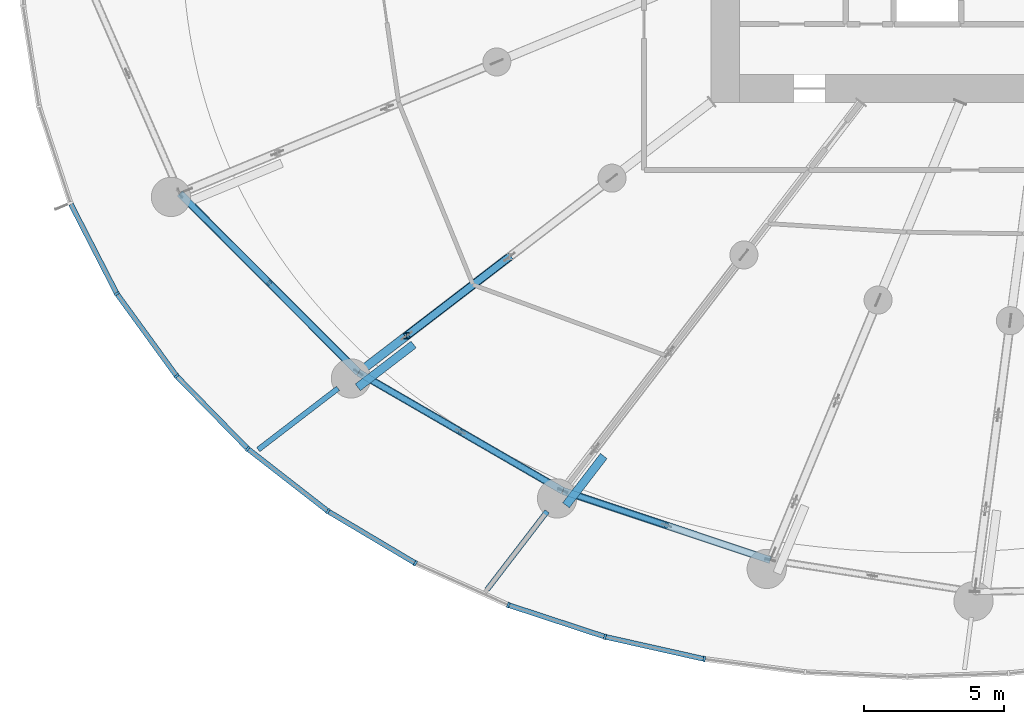
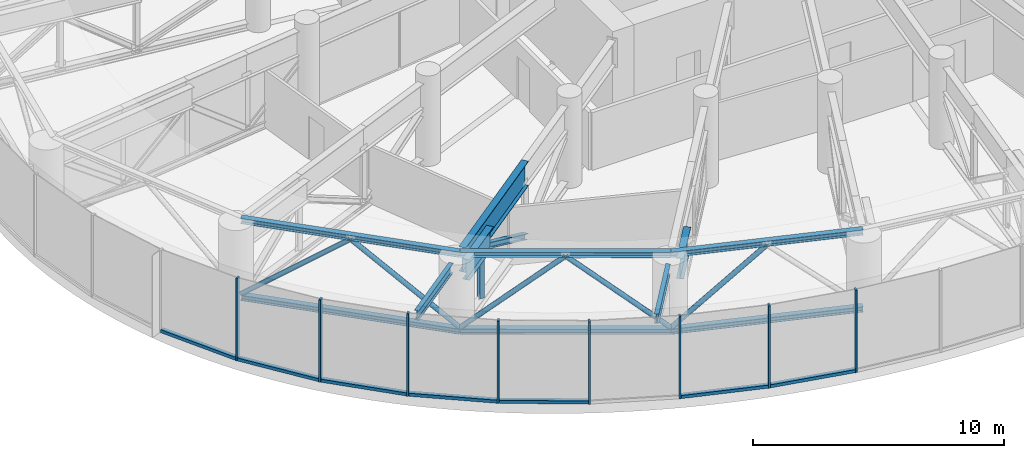
# One storey, part 2 of 42: 28 members, 5 beams, 2 elements without a shape of their own.
"""IFC4 building model written with IfcOpenShell, lengths in metres."""

from ifc_helpers import new_model, si_unit, direction, frame, origin, origin_2d, place, context, subcontext, project, spatial, rectangle, hollow_circle, i_section, extrude, source, transform, mapped, material, layer, layer_set, material_profile, profile_set, type_object, element, aggregate, save


model = new_model("IFC4")

# Units and contexts
model_context = context("Model", 3, precision=1e-05, world=origin(), true_north=direction((0.0, 1.0)))
body_context = subcontext(model_context, "Body", "Model", "MODEL_VIEW")
ifc_project = project(units=[si_unit("LENGTHUNIT", "METRE"), si_unit("AREAUNIT", "SQUARE_METRE"), si_unit("VOLUMEUNIT", "CUBIC_METRE"), si_unit("PLANEANGLEUNIT", "RADIAN"), si_unit("MASSUNIT", "GRAM", prefix="KILO")], contexts=[model_context])

# Site, building, storey
site_placement = place(None, origin())
site = spatial("IfcSite", under=ifc_project, at=site_placement, CompositionType="ELEMENT")
building_placement = place(site_placement, origin())
building = spatial("IfcBuilding", under=site, at=building_placement, Name="Spindrift Exchange Tower", CompositionType="ELEMENT")
storey_placement = place(building_placement, frame((0.0, 0.0, 75.39990234375)))
storey = spatial("IfcBuildingStorey", under=building, at=storey_placement, Name="L17", CompositionType="ELEMENT", Elevation=75.39990234375)

# Beams
ifc_material_1 = material(Name="Steel Grade 300", Category="steel")
ifc_material_profile_1 = material_profile(ifc_material_1, i_section(OverallWidth=0.18994140625, OverallDepth=0.45703125, WebThickness=0.009033203125, FlangeThickness=0.014404296875, FilletRadius=0.013916015625, at=origin_2d()), Name="460UB74.6")
ifc_profile_set_1 = profile_set([ifc_material_profile_1], Name="Steel Grade 300")
beam_type_1 = type_object("IfcBeamType", Name="Cantilever Beam 460UB74.6 Steel Grade 300", PredefinedType="BEAM", material=ifc_profile_set_1)
shared_shape_1 = source(origin(), body_context, "Body", "SweptSolid", [
    extrude(i_section(OverallWidth=0.18994140625, OverallDepth=0.45703125, WebThickness=0.009033203125, FlangeThickness=0.014404296875, FilletRadius=0.013916015625, at=origin_2d()), origin(), (0.0, 0.0, 1.0), 3.58544921875),
])
beam_1_placement = place(storey_placement, frame((25.704345703125, 27.822509765625, 3.771484375), z_axis=(-0.793382740537, -0.608723111947, 0.0), x_axis=(0.608723111947, -0.793382740537, 0.0)))
element("IfcBeam", 1, at=beam_1_placement, inside=storey, type_object=beam_type_1, Name="L17 cantilever beam R15T", PredefinedType="BEAM", context=body_context, shape_type="MappedRepresentation", body=[
    mapped(shared_shape_1, transform((0.0, 0.0, 0.0), scale=1.0)),
])
shared_shape_2 = source(origin(), body_context, "Body", "SweptSolid", [
    extrude(i_section(OverallWidth=0.18994140625, OverallDepth=0.45703125, WebThickness=0.009033203125, FlangeThickness=0.014404296875, FilletRadius=0.013916015625, at=origin_2d()), origin(), (0.0, 0.0, 1.0), 3.521728515625),
])
beam_2_placement = place(storey_placement, frame((33.154541015625, 23.440185546875, 3.771484375), z_axis=(-0.608748772801, -0.793363051581, 0.0), x_axis=(0.793363051581, -0.608748772801, 0.0)))
element("IfcBeam", 2, at=beam_2_placement, inside=storey, type_object=beam_type_1, Name="L17 cantilever beam R16T", PredefinedType="BEAM", context=body_context, shape_type="MappedRepresentation", body=[
    mapped(shared_shape_2, transform((0.0, 0.0, 0.0), scale=1.0)),
])

# Member
ifc_material_profile_2 = material_profile(ifc_material_1, i_section(OverallWidth=0.205078125, OverallDepth=0.2099609375, WebThickness=0.00927734375, FlangeThickness=0.01416015625, FilletRadius=0.012939453125, at=origin_2d()), Name="200UC59.5")
ifc_profile_set_2 = profile_set([ifc_material_profile_2], Name="Steel Grade 300")
member_type_1 = type_object("IfcMemberType", Name="Outrigger Truss Post 200UC59.5 Steel Grade 300", PredefinedType="POST", material=ifc_profile_set_2)
shared_shape_3 = source(origin(), body_context, "Body", "SweptSolid", [
    extrude(i_section(OverallWidth=0.205078125, OverallDepth=0.2099609375, WebThickness=0.00927734375, FlangeThickness=0.01416015625, FilletRadius=0.012939453125, at=origin_2d()), origin(), (0.0, 0.0, 1.0), 2.472900390625),
])
member_1_placement = place(storey_placement, frame((28.15185546875, 29.70068359375, 0.3271484375), z_axis=(0.0, 0.0, 1.0), x_axis=(1.0, 0.0, 0.0)))
element("IfcMember", 3, at=member_1_placement, inside=storey, type_object=member_type_1, Name="L17 outrigger truss 15 post 3", PredefinedType="POST", context=body_context, shape_type="MappedRepresentation", body=[
    mapped(shared_shape_3, transform((0.0, 0.0, 0.0), scale=1.0)),
])

# Beam
ifc_material_profile_3 = material_profile(ifc_material_1, i_section(OverallWidth=0.300048828125, OverallDepth=1.199951171875, WebThickness=0.011962890625, FlangeThickness=0.028076171875, at=origin_2d()), Name="1200WB249")
ifc_profile_set_3 = profile_set([ifc_material_profile_3], Name="Steel Grade 300")
beam_type_2 = type_object("IfcBeamType", Name="Outrigger Truss Transfer Girder 1200WB249 Steel Grade 300", PredefinedType="BEAM", material=ifc_profile_set_3)
shared_shape_4 = source(origin(), body_context, "Body", "SweptSolid", [
    extrude(i_section(OverallWidth=0.300048828125, OverallDepth=1.199951171875, WebThickness=0.011962890625, FlangeThickness=0.028076171875, at=origin_2d()), origin(), (0.0, 0.0, 1.0), 6.534423828125),
])
beam_3_placement = place(storey_placement, frame((31.80859375, 32.506591796875, 3.400146484375), z_axis=(-0.793360941844, -0.608751522344, 0.0), x_axis=(0.608751522344, -0.793360941844, 0.0)))
element("IfcBeam", 4, at=beam_3_placement, inside=storey, type_object=beam_type_2, Name="L17 outrigger truss 15 top chord 3", PredefinedType="BEAM", context=body_context, shape_type="MappedRepresentation", body=[
    mapped(shared_shape_4, transform((0.0, 0.0, 0.0), scale=1.0)),
])

# Members
ifc_material_profile_4 = material_profile(ifc_material_1, i_section(OverallWidth=0.256103515625, OverallDepth=0.260009765625, WebThickness=0.010498046875, FlangeThickness=0.017333984375, FilletRadius=0.011962890625, at=origin_2d()), Name="250UC89.5")
ifc_profile_set_4 = profile_set([ifc_material_profile_4], Name="Steel Grade 300")
member_type_2 = type_object("IfcMemberType", Name="Outrigger Truss Diagonal 250UC89.5 Steel Grade 300", PredefinedType="BRACE", material=ifc_profile_set_4)
shared_shape_5 = source(origin(), body_context, "Body", "SweptSolid", [
    extrude(i_section(OverallWidth=0.256103515625, OverallDepth=0.260009765625, WebThickness=0.010498046875, FlangeThickness=0.017333984375, FilletRadius=0.011962890625, at=origin_2d()), origin(), (0.0, 0.0, 1.0), 5.230712890625),
])
member_2_placement = place(storey_placement, frame((31.80859375, 32.506591796875, 0.3271484375), z_axis=(-0.699093237702, -0.536432005669, 0.472767753017), x_axis=(0.608760641354, -0.793353944679, 0.0)))
element("IfcMember", 5, at=member_2_placement, inside=storey, type_object=member_type_2, Name="L17 outrigger truss 15 diagonal 3", PredefinedType="BRACE", context=body_context, shape_type="MappedRepresentation", body=[
    mapped(shared_shape_5, transform((0.0, 0.0, 0.0), scale=1.0)),
])
ifc_material_profile_5 = material_profile(ifc_material_1, i_section(OverallWidth=0.256103515625, OverallDepth=0.260009765625, WebThickness=0.010498046875, FlangeThickness=0.017333984375, FilletRadius=0.011962890625, at=origin_2d()), Name="250UC89.5")
ifc_profile_set_5 = profile_set([ifc_material_profile_5], Name="Steel Grade 300")
member_type_3 = type_object("IfcMemberType", Name="Belt Truss Chord 250UC89.5 Steel Grade 300", PredefinedType="CHORD", material=ifc_profile_set_5)
shared_shape_6 = source(origin(), body_context, "Body", "SweptSolid", [
    extrude(i_section(OverallWidth=0.256103515625, OverallDepth=0.260009765625, WebThickness=0.010498046875, FlangeThickness=0.017333984375, FilletRadius=0.011962890625, at=origin_2d()), origin(), (0.0, 0.0, 1.0), 9.021484375),
])
for number, where, z_axis, x_axis, name in (
    (6, (20.065185546875, 34.772216796875, 3.8701171875), (0.705969259077, -0.708242476302, 0.0), (0.708242476302, 0.705969259077, 0.0), "L17 belt truss 14 top chord"),
    (7, (20.065185546875, 34.772216796875, 0.130126953125), (0.705969259077, -0.708242476302, 0.0), (0.708242476302, 0.705969259077, 0.0), "L17 belt truss 14 bottom chord"),
):
    element("IfcMember", number, at=place(storey_placement, frame(where, z_axis=z_axis, x_axis=x_axis)), inside=storey, type_object=member_type_3, Name=name, PredefinedType="CHORD", context=body_context, shape_type="MappedRepresentation", body=[
        mapped(shared_shape_6, transform((0.0, 0.0, 0.0), scale=1.0)),
    ])
ifc_material_2 = material(Name="Steel Grade 350", Category="steel")
ifc_material_profile_6 = material_profile(ifc_material_2, hollow_circle(Radius=0.109619140625, WallThickness=0.00830078125, at=origin_2d()), Name="219.1x8.2CHS")
ifc_profile_set_6 = profile_set([ifc_material_profile_6], Name="Steel Grade 350")
member_type_4 = type_object("IfcMemberType", Name="Belt Truss Diagonal 219.1x8.2CHS Steel Grade 350", PredefinedType="BRACE", material=ifc_profile_set_6)
shared_shape_7 = source(origin(), body_context, "Body", "SweptSolid", [
    extrude(hollow_circle(Radius=0.109619140625, WallThickness=0.00830078125, at=origin_2d()), origin(), (0.0, 0.0, 1.0), 5.697265625),
])
member_3_placement = place(storey_placement, frame((20.065185546875, 34.772216796875, 0.260009765625), z_axis=(0.558966254044, -0.56076605339, 0.610817616156), x_axis=(0.708242432874, 0.705969302645, 0.0)))
element("IfcMember", 8, at=member_3_placement, inside=storey, type_object=member_type_4, Name="L17 belt truss 14 diagonal 1", PredefinedType="BRACE", context=body_context, shape_type="MappedRepresentation", body=[
    mapped(shared_shape_7, transform((0.0, 0.0, 0.0), scale=1.0)),
])
shared_shape_8 = source(origin(), body_context, "Body", "SweptSolid", [
    extrude(hollow_circle(Radius=0.109619140625, WallThickness=0.00830078125, at=origin_2d()), origin(), (0.0, 0.0, 1.0), 5.697021484375),
])
member_4_placement = place(storey_placement, frame((23.249755859375, 31.577392578125, 3.739990234375), z_axis=(0.558950221503, -0.560750107212, -0.610846926114), x_axis=(0.708242519734, 0.705969215505, 0.0)))
element("IfcMember", 9, at=member_4_placement, inside=storey, type_object=member_type_4, Name="L17 belt truss 14 diagonal 2", PredefinedType="BRACE", context=body_context, shape_type="MappedRepresentation", body=[
    mapped(shared_shape_8, transform((0.0, 0.0, 0.0), scale=1.0)),
])
shared_shape_9 = source(origin(), body_context, "Body", "SweptSolid", [
    extrude(i_section(OverallWidth=0.256103515625, OverallDepth=0.260009765625, WebThickness=0.010498046875, FlangeThickness=0.017333984375, FilletRadius=0.011962890625, at=origin_2d()), origin(), (0.0, 0.0, 1.0), 8.41162109375),
])
for number, where, z_axis, x_axis, name in (
    (10, (26.43408203125, 28.3828125, 3.8701171875), (0.865536882311, -0.500845191012, 0.0), (0.500845191012, 0.865536882311, 0.0), "L17 belt truss 15 top chord"),
    (11, (26.43408203125, 28.3828125, 0.130126953125), (0.865536882311, -0.500845191012, 0.0), (0.500845191012, 0.865536882311, 0.0), "L17 belt truss 15 bottom chord"),
):
    element("IfcMember", number, at=place(storey_placement, frame(where, z_axis=z_axis, x_axis=x_axis)), inside=storey, type_object=member_type_3, Name=name, PredefinedType="CHORD", context=body_context, shape_type="MappedRepresentation", body=[
        mapped(shared_shape_9, transform((0.0, 0.0, 0.0), scale=1.0)),
    ])
shared_shape_10 = source(origin(), body_context, "Body", "SweptSolid", [
    extrude(hollow_circle(Radius=0.109619140625, WallThickness=0.00830078125, at=origin_2d()), origin(), (0.0, 0.0, 1.0), 5.458984375),
])
member_5_placement = place(storey_placement, frame((26.43408203125, 28.3828125, 0.260009765625), z_axis=(0.666868987608, -0.385872552148, 0.637485785619), x_axis=(0.500832609194, 0.865544162691, 0.0)))
element("IfcMember", 12, at=member_5_placement, inside=storey, type_object=member_type_4, Name="L17 belt truss 15 diagonal 1", PredefinedType="BRACE", context=body_context, shape_type="MappedRepresentation", body=[
    mapped(shared_shape_10, transform((0.0, 0.0, 0.0), scale=1.0)),
])
shared_shape_11 = source(origin(), body_context, "Body", "SweptSolid", [
    extrude(hollow_circle(Radius=0.109619140625, WallThickness=0.00830078125, at=origin_2d()), origin(), (0.0, 0.0, 1.0), 5.458740234375),
])
member_6_placement = place(storey_placement, frame((30.074462890625, 26.2763671875, 3.739990234375), z_axis=(0.66684415229, -0.385884060762, -0.637504798575), x_axis=(0.500857773355, 0.865529601383, 0.0)))
element("IfcMember", 13, at=member_6_placement, inside=storey, type_object=member_type_4, Name="L17 belt truss 15 diagonal 2", PredefinedType="BRACE", context=body_context, shape_type="MappedRepresentation", body=[
    mapped(shared_shape_11, transform((0.0, 0.0, 0.0), scale=1.0)),
])
shared_shape_12 = source(origin(), body_context, "Body", "SweptSolid", [
    extrude(i_section(OverallWidth=0.256103515625, OverallDepth=0.260009765625, WebThickness=0.010498046875, FlangeThickness=0.017333984375, FilletRadius=0.011962890625, at=origin_2d()), origin(), (0.0, 0.0, 1.0), 7.793701171875),
])
for number, where, z_axis, x_axis, name in (
    (14, (33.714599609375, 24.169921875, 3.8701171875), (0.948567329995, -0.316575457776, 0.0), (0.316575457776, 0.948567329995, 0.0), "L17 belt truss 16 top chord"),
    (15, (33.714599609375, 24.169921875, 0.130126953125), (0.948567329995, -0.316575457776, 0.0), (0.316575457776, 0.948567329995, 0.0), "L17 belt truss 16 bottom chord"),
):
    element("IfcMember", number, at=place(storey_placement, frame(where, z_axis=z_axis, x_axis=x_axis)), inside=storey, type_object=member_type_3, Name=name, PredefinedType="CHORD", context=body_context, shape_type="MappedRepresentation", body=[
        mapped(shared_shape_12, transform((0.0, 0.0, 0.0), scale=1.0)),
    ])
shared_shape_13 = source(origin(), body_context, "Body", "SweptSolid", [
    extrude(hollow_circle(Radius=0.109619140625, WallThickness=0.00830078125, at=origin_2d()), origin(), (0.0, 0.0, 1.0), 5.224365234375),
])
member_7_placement = place(storey_placement, frame((33.714599609375, 24.169921875, 0.260009765625), z_axis=(0.707500639745, -0.236129506779, 0.666097365847), x_axis=(0.316584864872, 0.948564190413, 0.0)))
element("IfcMember", 16, at=member_7_placement, inside=storey, type_object=member_type_4, Name="L17 belt truss 16 diagonal 1", PredefinedType="BRACE", context=body_context, shape_type="MappedRepresentation", body=[
    mapped(shared_shape_13, transform((0.0, 0.0, 0.0), scale=1.0)),
])

# Beams
ifc_material_profile_7 = material_profile(ifc_material_1, i_section(OverallWidth=0.300048828125, OverallDepth=1.0, WebThickness=0.010009765625, FlangeThickness=0.02001953125, at=origin_2d()), Name="1000WB215")
ifc_profile_set_7 = profile_set([ifc_material_profile_7], Name="Steel Grade 300")
beam_type_3 = type_object("IfcBeamType", Name="Transfer Tie Beam 1000WB215 Steel Grade 300", PredefinedType="BEAM", material=ifc_profile_set_7)
shared_shape_14 = source(origin(), body_context, "Body", "SweptSolid", [
    extrude(i_section(OverallWidth=0.300048828125, OverallDepth=1.0, WebThickness=0.010009765625, FlangeThickness=0.02001953125, at=origin_2d()), origin(), (0.0, 0.0, 1.0), 2.5048828125),
])
beam_4_placement = place(storey_placement, frame((26.407958984375, 27.8583984375, 3.400146484375), z_axis=(0.793355302324, 0.608758872029, 0.0), x_axis=(-0.608758872029, 0.793355302324, 0.0)))
element("IfcBeam", 17, at=beam_4_placement, inside=storey, type_object=beam_type_3, Name="L17 transfer tie beam K15", PredefinedType="BEAM", context=body_context, shape_type="MappedRepresentation", body=[
    mapped(shared_shape_14, transform((0.0, 0.0, 0.0), scale=1.0)),
])
shared_shape_15 = source(origin(), body_context, "Body", "SweptSolid", [
    extrude(i_section(OverallWidth=0.300048828125, OverallDepth=1.0, WebThickness=0.010009765625, FlangeThickness=0.02001953125, at=origin_2d()), origin(), (0.0, 0.0, 1.0), 2.2119140625),
])
beam_5_placement = place(storey_placement, frame((33.824951171875, 23.65673828125, 3.400146484375), z_axis=(0.608723469706, 0.793382466046, 0.0), x_axis=(-0.793382466046, 0.608723469706, 0.0)))
element("IfcBeam", 18, at=beam_5_placement, inside=storey, type_object=beam_type_3, Name="L17 transfer tie beam K16", PredefinedType="BEAM", context=body_context, shape_type="MappedRepresentation", body=[
    mapped(shared_shape_15, transform((0.0, 0.0, 0.0), scale=1.0)),
])

# Curtain wall, members
ifc_material_3 = material(Name="Fritted laminated glass with bronze frame", Category="glass")
ifc_layer = layer(ifc_material_3, 0.199951171875)
ifc_layer_set = layer_set([ifc_layer], Name="ZONE 1 BRONZE FRITTED WALL")
curtain_wall_type = type_object("IfcCurtainWallType", Name="ZONE 1 BRONZE FRITTED WALL", PredefinedType="NOTDEFINED", material=ifc_layer_set)
curtain_wall_1_placement = place(storey_placement, origin())
curtain_wall_1 = element("IfcCurtainWall", 19, at=curtain_wall_1_placement, inside=storey, type_object=curtain_wall_type, Name="L17 Zone 1 Bronze Fritted Wall run 6", PredefinedType="NOTDEFINED")
ifc_material_4 = material(Name="Bronze anodised aluminium", Category="aluminium")
ifc_material_profile_8 = material_profile(ifc_material_4, rectangle(XDim=0.179931640625, YDim=0.14990234375, at=origin_2d()), Name="ZONE 1 BRONZE FRITTED WALL TRANSOM 180X150")
ifc_profile_set_8 = profile_set([ifc_material_profile_8], Name="Bronze anodised aluminium")
member_type_5 = type_object("IfcMemberType", Name="ZONE 1 BRONZE FRITTED WALL TRANSOM 180X150", PredefinedType="USERDEFINED", material=ifc_profile_set_8)
shared_shape_16 = source(origin(), body_context, "Body", "SweptSolid", [
    extrude(rectangle(XDim=0.179931640625, YDim=0.14990234375, at=origin_2d()), origin(), (0.0, 0.0, 1.0), 3.54443359375),
])
member_8_placement = place(storey_placement, frame((16.1845703125, 34.384765625, 0.0751953125), z_axis=(0.456255117861, -0.889849013836, 0.0), x_axis=(0.889849013836, 0.456255117861, 0.0)))
member_8 = element("IfcMember", 20, at=member_8_placement, type_object=member_type_5, Name="L17 transom CW-1.31", ObjectType="TRANSOM", PredefinedType="USERDEFINED", context=body_context, shape_type="MappedRepresentation", body=[
    mapped(shared_shape_16, transform((0.0, 0.0, 0.0), scale=1.0)),
])
shared_shape_17 = source(origin(), body_context, "Body", "SweptSolid", [
    extrude(rectangle(XDim=0.179931640625, YDim=0.14990234375, at=origin_2d()), origin(), (0.0, 0.0, 1.0), 3.544921875),
])
member_9_placement = place(storey_placement, frame((17.843505859375, 31.162841796875, 0.0751953125), z_axis=(0.58752041695, -0.809209342301, 0.0), x_axis=(0.809209342301, 0.58752041695, 0.0)))
member_9 = element("IfcMember", 21, at=member_9_placement, type_object=member_type_5, Name="L17 transom CW-1.32", ObjectType="TRANSOM", PredefinedType="USERDEFINED", context=body_context, shape_type="MappedRepresentation", body=[
    mapped(shared_shape_17, transform((0.0, 0.0, 0.0), scale=1.0)),
])
shared_shape_18 = source(origin(), body_context, "Body", "SweptSolid", [
    extrude(rectangle(XDim=0.179931640625, YDim=0.14990234375, at=origin_2d()), origin(), (0.0, 0.0, 1.0), 3.545654296875),
])
member_10_placement = place(storey_placement, frame((22.515380859375, 25.644775390625, 0.0751953125), z_axis=(0.789189047463, -0.614150345897, 0.0), x_axis=(0.614150345897, 0.789189047463, 0.0)))
member_10 = element("IfcMember", 22, at=member_10_placement, type_object=member_type_5, Name="L17 transom CW-1.34", ObjectType="TRANSOM", PredefinedType="USERDEFINED", context=body_context, shape_type="MappedRepresentation", body=[
    mapped(shared_shape_18, transform((0.0, 0.0, 0.0), scale=1.0)),
])
shared_shape_19 = source(origin(), body_context, "Body", "SweptSolid", [
    extrude(rectangle(XDim=0.179931640625, YDim=0.14990234375, at=origin_2d()), origin(), (0.0, 0.0, 1.0), 3.546142578125),
])
member_11_placement = place(storey_placement, frame((25.37939453125, 23.42236328125, 0.0751953125), z_axis=(0.859472942996, -0.511181240127, 0.0), x_axis=(0.511181240127, 0.859472942996, 0.0)))
member_11 = element("IfcMember", 23, at=member_11_placement, type_object=member_type_5, Name="L17 transom CW-1.35", ObjectType="TRANSOM", PredefinedType="USERDEFINED", context=body_context, shape_type="MappedRepresentation", body=[
    mapped(shared_shape_19, transform((0.0, 0.0, 0.0), scale=1.0)),
])

# Curtain wall, member
curtain_wall_2_placement = place(storey_placement, origin())
curtain_wall_2 = element("IfcCurtainWall", 24, at=curtain_wall_2_placement, inside=storey, type_object=curtain_wall_type, Name="L17 Zone 1 Bronze Fritted Wall run 7", PredefinedType="NOTDEFINED")
shared_shape_20 = source(origin(), body_context, "Body", "SweptSolid", [
    extrude(rectangle(XDim=0.179931640625, YDim=0.14990234375, at=origin_2d()), origin(), (0.0, 0.0, 1.0), 3.546875),
])
member_12_placement = place(storey_placement, frame((35.25390625, 18.9619140625, 0.0751953125), z_axis=(0.975780458146, -0.218752137132, 0.0), x_axis=(0.218752137132, 0.975780458146, 0.0)))
member_12 = element("IfcMember", 25, at=member_12_placement, type_object=member_type_5, Name="L17 transom CW-1.38", ObjectType="TRANSOM", PredefinedType="USERDEFINED", context=body_context, shape_type="MappedRepresentation", body=[
    mapped(shared_shape_20, transform((0.0, 0.0, 0.0), scale=1.0)),
])

# Member
shared_shape_21 = source(origin(), body_context, "Body", "SweptSolid", [
    extrude(rectangle(XDim=0.179931640625, YDim=0.14990234375, at=origin_2d()), origin(), (0.0, 0.0, 1.0), 3.545166015625),
])
member_13_placement = place(storey_placement, frame((19.977783203125, 28.2333984375, 0.0751953125), z_axis=(0.69896897085, -0.715151996284, 0.0), x_axis=(0.715151996284, 0.69896897085, 0.0)))
member_13 = element("IfcMember", 26, at=member_13_placement, type_object=member_type_5, Name="L17 transom CW-1.33", ObjectType="TRANSOM", PredefinedType="USERDEFINED", context=body_context, shape_type="MappedRepresentation", body=[
    mapped(shared_shape_21, transform((0.0, 0.0, 0.0), scale=1.0)),
])

shared_shape_22 = source(origin(), body_context, "Body", "SweptSolid", [
    extrude(rectangle(XDim=0.179931640625, YDim=0.14990234375, at=origin_2d()), origin(), (0.0, 0.0, 1.0), 3.546630859375),
])
member_14_placement = place(storey_placement, frame((31.807373046875, 20.09033203125, 0.0751953125), z_axis=(0.950023874733, -0.312177253236, 0.0), x_axis=(0.312177253236, 0.950023874733, 0.0)))
member_14 = element("IfcMember", 27, at=member_14_placement, type_object=member_type_5, Name="L17 transom CW-1.37", ObjectType="TRANSOM", PredefinedType="USERDEFINED", context=body_context, shape_type="MappedRepresentation", body=[
    mapped(shared_shape_22, transform((0.0, 0.0, 0.0), scale=1.0)),
])

ifc_material_profile_9 = material_profile(ifc_material_4, rectangle(XDim=0.080078125, YDim=0.199951171875, at=origin_2d()), Name="ZONE 1 BRONZE FRITTED WALL MULLION 80X200")
ifc_profile_set_9 = profile_set([ifc_material_profile_9], Name="Bronze anodised aluminium")
member_type_6 = type_object("IfcMemberType", Name="ZONE 1 BRONZE FRITTED WALL MULLION 80X200", PredefinedType="MULLION", material=ifc_profile_set_9)
shared_shape_23 = source(origin(), body_context, "Body", "SweptSolid", [
    extrude(rectangle(XDim=0.080078125, YDim=0.199951171875, at=origin_2d()), origin(), (0.0, 0.0, 1.0), 4.0),
])
member_15_placement = place(storey_placement, frame((17.820068359375, 31.195068359375, 0.0), z_axis=(0.0, 0.0, 1.0), x_axis=(0.523453249674, -0.852054396976, 0.0)))
member_15 = element("IfcMember", 28, at=member_15_placement, type_object=member_type_6, Name="L17 mullion CW-1.32", PredefinedType="MULLION", context=body_context, shape_type="MappedRepresentation", body=[
    mapped(shared_shape_23, transform((0.0, 0.0, 0.0), scale=1.0)),
])

member_16_placement = place(storey_placement, frame((19.94970703125, 28.261962890625, 0.0), z_axis=(0.0, 0.0, 1.0), x_axis=(0.644965257617, -0.764211892388, 0.0)))
member_16 = element("IfcMember", 29, at=member_16_placement, type_object=member_type_6, Name="L17 mullion CW-1.33", PredefinedType="MULLION", context=body_context, shape_type="MappedRepresentation", body=[
    mapped(shared_shape_23, transform((0.0, 0.0, 0.0), scale=1.0)),
])

member_17_placement = place(storey_placement, frame((22.483642578125, 25.669189453125, 0.0), z_axis=(0.0, 0.0, 1.0), x_axis=(0.745807059651, -0.666162014659, 0.0)))
member_17 = element("IfcMember", 30, at=member_17_placement, type_object=member_type_6, Name="L17 mullion CW-1.34", PredefinedType="MULLION", context=body_context, shape_type="MappedRepresentation", body=[
    mapped(shared_shape_23, transform((0.0, 0.0, 0.0), scale=1.0)),
])

member_18_placement = place(storey_placement, frame((25.34521484375, 23.44287109375, 0.0), z_axis=(0.0, 0.0, 1.0), x_axis=(0.825944326928, -0.563751690743, 0.0)))
member_18 = element("IfcMember", 31, at=member_18_placement, type_object=member_type_6, Name="L17 mullion CW-1.35", PredefinedType="MULLION", context=body_context, shape_type="MappedRepresentation", body=[
    mapped(shared_shape_23, transform((0.0, 0.0, 0.0), scale=1.0)),
])

member_19_placement = place(storey_placement, frame((28.461669921875, 21.589111328125, 0.0), z_axis=(0.0, 0.0, 1.0), x_axis=(0.887243414213, -0.46130155423, 0.0)))
member_19 = element("IfcMember", 32, at=member_19_placement, type_object=member_type_6, Name="L17 mullion CW-1.36", PredefinedType="MULLION", context=body_context, shape_type="MappedRepresentation", body=[
    mapped(shared_shape_23, transform((0.0, 0.0, 0.0), scale=1.0)),
])

aggregate(curtain_wall_1, [member_8, member_15, member_9, member_16, member_13, member_17, member_10, member_18, member_11, member_19])

member_20_placement = place(storey_placement, frame((31.769287109375, 20.102783203125, 0.0), z_axis=(0.0, 0.0, 1.0), x_axis=(0.932369097555, -0.361507767448, 0.0)))
member_20 = element("IfcMember", 33, at=member_20_placement, type_object=member_type_6, Name="L17 mullion CW-1.37", PredefinedType="MULLION", context=body_context, shape_type="MappedRepresentation", body=[
    mapped(shared_shape_23, transform((0.0, 0.0, 0.0), scale=1.0)),
])

member_21_placement = place(storey_placement, frame((35.21484375, 18.970703125, 0.0), z_axis=(0.0, 0.0, 1.0), x_axis=(0.964037629664, -0.265765777691, 0.0)))
member_21 = element("IfcMember", 34, at=member_21_placement, type_object=member_type_6, Name="L17 mullion CW-1.38", PredefinedType="MULLION", context=body_context, shape_type="MappedRepresentation", body=[
    mapped(shared_shape_23, transform((0.0, 0.0, 0.0), scale=1.0)),
])

member_22_placement = place(storey_placement, frame((38.75390625, 18.17724609375, 0.0), z_axis=(0.0, 0.0, 1.0), x_axis=(0.984640790792, -0.174592419962, 0.0)))
member_22 = element("IfcMember", 35, at=member_22_placement, type_object=member_type_6, Name="L17 mullion CW-1.39", PredefinedType="MULLION", context=body_context, shape_type="MappedRepresentation", body=[
    mapped(shared_shape_23, transform((0.0, 0.0, 0.0), scale=1.0)),
])

aggregate(curtain_wall_2, [member_20, member_14, member_21, member_12, member_22])

save(model, "model.ifc")
